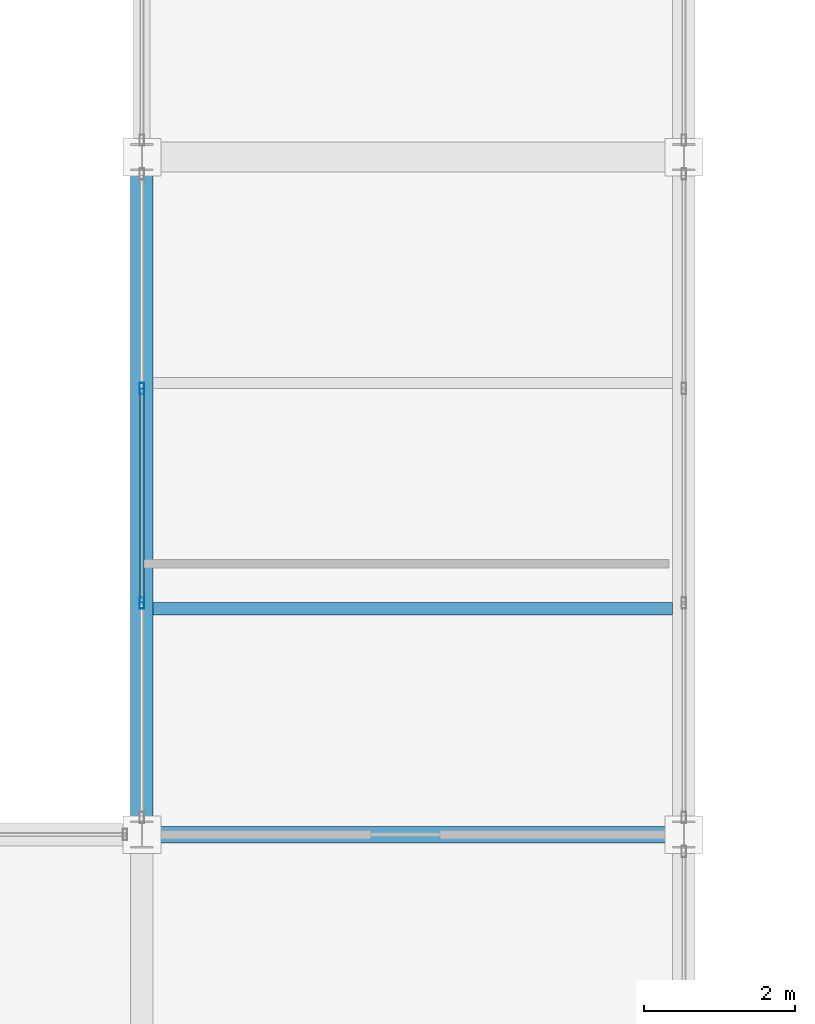
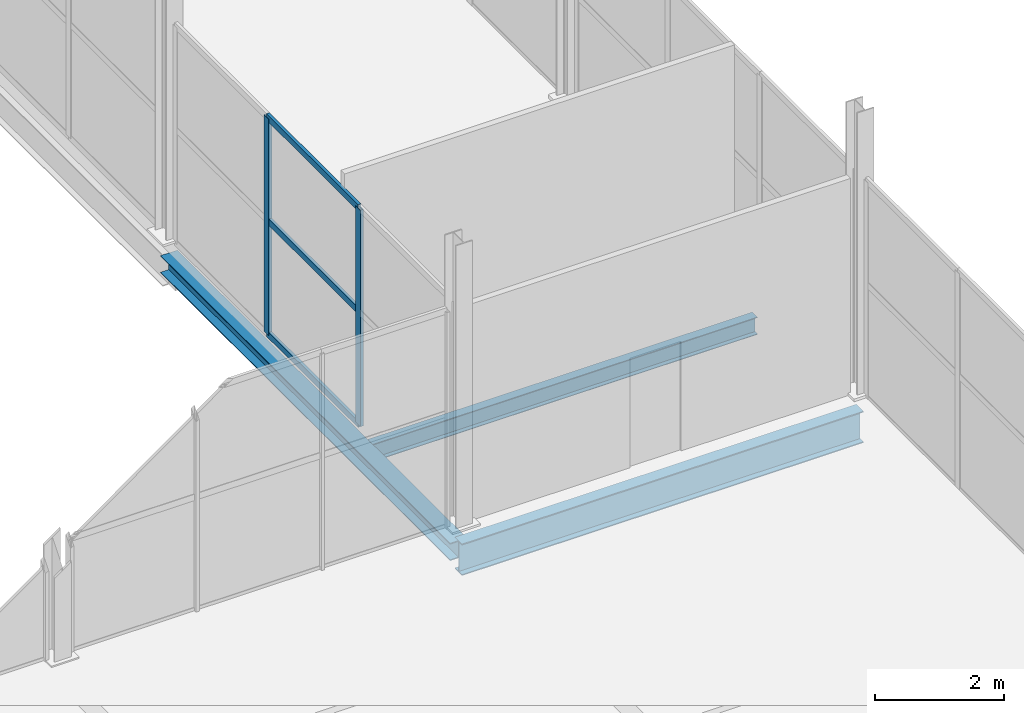
# One storey, part 75 of 141: 5 members, 3 beams, 1 element without a shape of its own.
"""IFC4 building model written with IfcOpenShell, lengths in metres."""

from ifc_helpers import new_model, si_unit, direction, frame, origin, origin_2d, place, context, subcontext, project, spatial, hollow_rectangle, i_section, extrude, material, layer, layer_set, material_profile, profile_set, type_object, element, aggregate, save


model = new_model("IFC4")

# Units and contexts
model_context = context("Model", 3, precision=1e-05, world=origin(), true_north=direction((0.0, 1.0)))
body_context = subcontext(model_context, "Body", "Model", "MODEL_VIEW")
ifc_project = project(units=[si_unit("LENGTHUNIT", "METRE"), si_unit("AREAUNIT", "SQUARE_METRE"), si_unit("VOLUMEUNIT", "CUBIC_METRE"), si_unit("PLANEANGLEUNIT", "RADIAN"), si_unit("MASSUNIT", "GRAM", prefix="KILO")], contexts=[model_context])

# Site, building, storey
site_placement = place(None, origin())
site = spatial("IfcSite", under=ifc_project, at=site_placement, CompositionType="ELEMENT")
building_placement = place(site_placement, origin())
building = spatial("IfcBuilding", under=site, at=building_placement, Name="Sundgate Opera House", CompositionType="ELEMENT")
storey_placement = place(building_placement, frame((0.0, 0.0, 11.39990234375)))
storey = spatial("IfcBuildingStorey", under=building, at=storey_placement, Name="L02", CompositionType="ELEMENT", Elevation=11.39990234375)

# Beams
ifc_material_1 = material(Name="Steel S355J2", Category="steel")
ifc_material_profile_1 = material_profile(ifc_material_1, i_section(OverallWidth=0.300048828125, OverallDepth=0.330078125, WebThickness=0.009521484375, FlangeThickness=0.0166015625, at=origin_2d()), Name="HEA 340")
ifc_profile_set_1 = profile_set([ifc_material_profile_1], Name="Steel S355J2")
beam_type_1 = type_object("IfcBeamType", Name="BM-GR-HEA340", PredefinedType="BEAM", material=ifc_profile_set_1)
beam_1_placement = place(storey_placement, frame((138.60009765625, 42.0, -0.514892578125), z_axis=(0.0, 1.0, 0.0), x_axis=(-1.0, 0.0, 0.0)))
element("IfcBeam", 1, at=beam_1_placement, inside=storey, type_object=beam_type_1, Name="L02 Primary N-S Girder B1914", PredefinedType="BEAM", context=body_context, shape_type="SweptSolid", body=[
    extrude(i_section(OverallWidth=0.300048828125, OverallDepth=0.330078125, WebThickness=0.009521484375, FlangeThickness=0.0166015625, at=origin_2d()), origin(), (0.0, 0.0, 1.0), 9.0),
])
ifc_material_2 = material(Name="Steel S355J2", Category="steel")
ifc_material_profile_2 = material_profile(ifc_material_2, i_section(OverallWidth=0.219970703125, OverallDepth=0.60009765625, WebThickness=0.011962890625, FlangeThickness=0.01904296875, at=origin_2d()), Name="IPE 600")
ifc_profile_set_2 = profile_set([ifc_material_profile_2], Name="Steel S355J2")
beam_type_2 = type_object("IfcBeamType", Name="BM-GR-IPE600", PredefinedType="BEAM", material=ifc_profile_set_2)
beam_2_placement = place(storey_placement, frame((138.60009765625, 42.0, -0.64990234375), z_axis=(1.0, 0.0, 0.0), x_axis=(0.0, 1.0, 0.0)))
element("IfcBeam", 2, at=beam_2_placement, inside=storey, type_object=beam_type_2, Name="L02 Primary E-W Girder B2015", PredefinedType="BEAM", context=body_context, shape_type="SweptSolid", body=[
    extrude(i_section(OverallWidth=0.219970703125, OverallDepth=0.60009765625, WebThickness=0.011962890625, FlangeThickness=0.01904296875, at=origin_2d()), origin(), (0.0, 0.0, 1.0), 7.199951171875),
])
ifc_material_3 = material(Name="Steel S355J2", Category="steel")
ifc_material_profile_3 = material_profile(ifc_material_3, i_section(OverallWidth=0.159912109375, OverallDepth=0.330078125, WebThickness=0.007568359375, FlangeThickness=0.011474609375, at=origin_2d()), Name="IPE 330")
ifc_profile_set_3 = profile_set([ifc_material_profile_3], Name="Steel S355J2")
beam_type_3 = type_object("IfcBeamType", Name="BM-JS-IPE330", PredefinedType="JOIST", material=ifc_profile_set_3)
beam_3_placement = place(storey_placement, frame((138.75, 45.0, -0.514892578125), z_axis=(1.0, 0.0, 0.0), x_axis=(0.0, 1.0, 0.0)))
element("IfcBeam", 3, at=beam_3_placement, inside=storey, type_object=beam_type_3, Name="L02 Secondary Floor Joist B2237", PredefinedType="JOIST", context=body_context, shape_type="SweptSolid", body=[
    extrude(i_section(OverallWidth=0.159912109375, OverallDepth=0.330078125, WebThickness=0.007568359375, FlangeThickness=0.011474609375, at=origin_2d()), origin(), (0.0, 0.0, 1.0), 6.89990234375),
])

# Curtain wall, members
ifc_material_4 = material(Name="Anodized aluminium and low-iron glass", Category="aluminium")
ifc_layer = layer(ifc_material_4, 0.159912109375)
ifc_layer_set = layer_set([ifc_layer], Name="Anodized aluminium and low-iron glass")
curtain_wall_type = type_object("IfcCurtainWallType", Name="CW-STUDIO-DARK", PredefinedType="NOTDEFINED", material=ifc_layer_set)
curtain_wall_placement = place(storey_placement, origin())
curtain_wall = element("IfcCurtainWall", 4, at=curtain_wall_placement, inside=storey, type_object=curtain_wall_type, Name="L02 Curtain Wall CW077", PredefinedType="NOTDEFINED")
ifc_material_5 = material(Name="Anodized aluminium EN AW-6063", Category="aluminium")
ifc_material_profile_4 = material_profile(ifc_material_5, hollow_rectangle(XDim=0.06005859375, YDim=0.14990234375, WallThickness=0.00390625, at=origin_2d()), Name="CWM 150x60x4")
ifc_profile_set_4 = profile_set([ifc_material_profile_4], Name="Anodized aluminium EN AW-6063")
member_type_1 = type_object("IfcMemberType", Name="CWM-ALU-150x60", PredefinedType="MULLION", material=ifc_profile_set_4)
member_1_placement = place(storey_placement, frame((138.60009765625, 47.925048828125, 0.0), z_axis=(0.0, 0.0, 1.0), x_axis=(1.0, 0.0, 0.0)))
member_1 = element("IfcMember", 5, at=member_1_placement, type_object=member_type_1, Name="CW077 Mullion 2", PredefinedType="MULLION", context=body_context, shape_type="SweptSolid", body=[
    extrude(hollow_rectangle(XDim=0.06005859375, YDim=0.14990234375, WallThickness=0.00390625, at=origin_2d()), origin(), (0.0, 0.0, 1.0), 4.10498046875),
])
member_2_placement = place(storey_placement, frame((138.60009765625, 45.074951171875, 0.0), z_axis=(0.0, 0.0, 1.0), x_axis=(1.0, 0.0, 0.0)))
member_2 = element("IfcMember", 6, at=member_2_placement, type_object=member_type_1, Name="CW077 Mullion 3", PredefinedType="MULLION", context=body_context, shape_type="SweptSolid", body=[
    extrude(hollow_rectangle(XDim=0.06005859375, YDim=0.14990234375, WallThickness=0.00390625, at=origin_2d()), origin(), (0.0, 0.0, 1.0), 4.10498046875),
])
ifc_material_6 = material(Name="Anodized aluminium EN AW-6063", Category="aluminium")
ifc_material_profile_5 = material_profile(ifc_material_6, hollow_rectangle(XDim=0.054931640625, YDim=0.1201171875, WallThickness=0.00390625, at=origin_2d()), Name="CWT 120x55x4")
ifc_profile_set_5 = profile_set([ifc_material_profile_5], Name="Anodized aluminium EN AW-6063")
member_type_2 = type_object("IfcMemberType", Name="CWT-ALU-120x55", PredefinedType="USERDEFINED", material=ifc_profile_set_5)
member_3_placement = place(storey_placement, frame((138.60009765625, 47.925048828125, 0.0), z_axis=(0.0, -1.0, 0.0), x_axis=(1.0, 0.0, 0.0)))
member_3 = element("IfcMember", 7, at=member_3_placement, type_object=member_type_2, Name="CW077 Transom 4", ObjectType="TRANSOM", PredefinedType="USERDEFINED", context=body_context, shape_type="SweptSolid", body=[
    extrude(hollow_rectangle(XDim=0.054931640625, YDim=0.1201171875, WallThickness=0.00390625, at=origin_2d()), origin(), (0.0, 0.0, 1.0), 2.85009765625),
])
member_4_placement = place(storey_placement, frame((138.60009765625, 47.925048828125, 2.150146484375), z_axis=(0.0, -1.0, 0.0), x_axis=(1.0, 0.0, 0.0)))
member_4 = element("IfcMember", 8, at=member_4_placement, type_object=member_type_2, Name="CW077 Transom 5", ObjectType="TRANSOM", PredefinedType="USERDEFINED", context=body_context, shape_type="SweptSolid", body=[
    extrude(hollow_rectangle(XDim=0.054931640625, YDim=0.1201171875, WallThickness=0.00390625, at=origin_2d()), origin(), (0.0, 0.0, 1.0), 2.85009765625),
])
member_5_placement = place(storey_placement, frame((138.60009765625, 47.925048828125, 4.10498046875), z_axis=(0.0, -1.0, 0.0), x_axis=(1.0, 0.0, 0.0)))
member_5 = element("IfcMember", 9, at=member_5_placement, type_object=member_type_2, Name="CW077 Transom 6", ObjectType="TRANSOM", PredefinedType="USERDEFINED", context=body_context, shape_type="SweptSolid", body=[
    extrude(hollow_rectangle(XDim=0.054931640625, YDim=0.1201171875, WallThickness=0.00390625, at=origin_2d()), origin(), (0.0, 0.0, 1.0), 2.85009765625),
])
aggregate(curtain_wall, [member_1, member_2, member_3, member_4, member_5])

save(model, "model.ifc")
